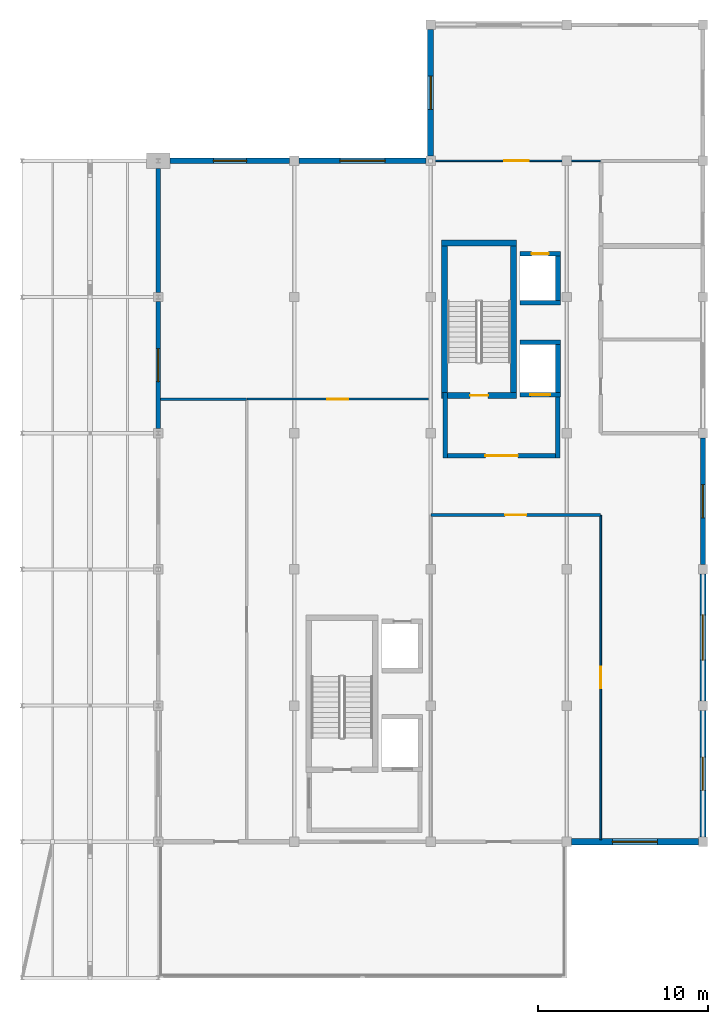
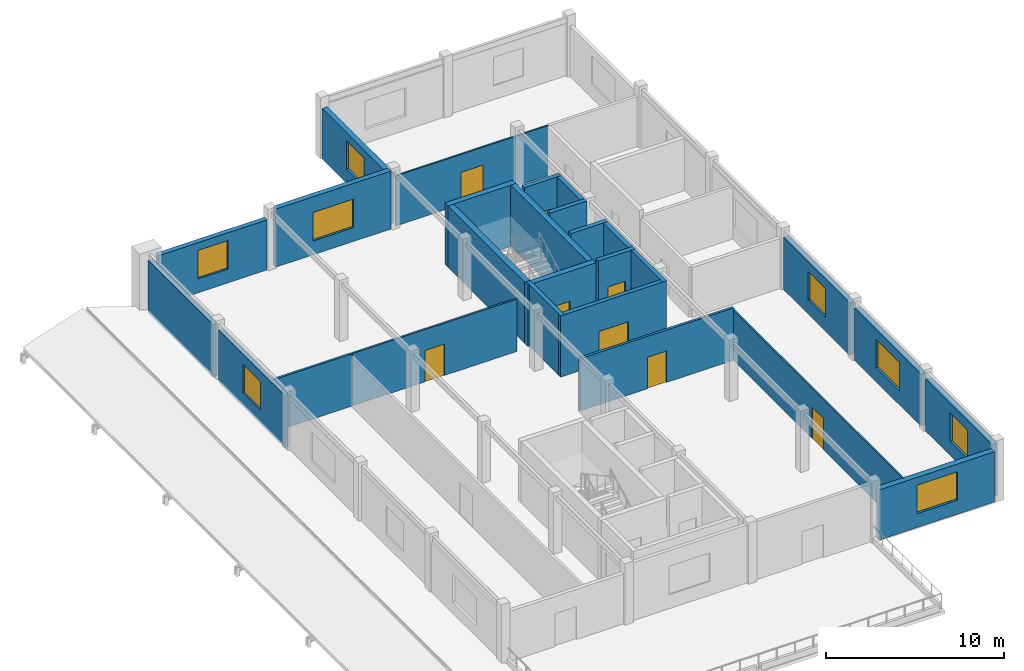
# One storey, part 5 of 9: 27 walls, 8 doors, 8 windows, 16 openings.
"""IFC4 building model written with IfcOpenShell, lengths in metres."""

import ifcopenshell
import ifcopenshell.guid

model = None  # the IFC model being written
_history = None  # IfcOwnerHistory: only IFC2X3 demands one
_inside = {}  # id of a spatial element -> (the spatial element, [elements in it])
_under = {}  # id of a project, library or spatial element -> (it, [spatial elements below it])
_declared = {}  # id of a project -> (the project, [libraries it declares])
_typed = {}  # id of a type object -> (the type object, [elements of that type])
_made_of = {}  # id of a material, layer set ... -> (it, [elements and type objects made of it])


def new_model(schema):
    """Start an empty IFC model of exactly this schema.

    Asked for "IFC4X3", IfcOpenShell would pick the latest addendum, in which some entities
    have other attributes; the version numbers below select the first issue.
    IFC2X3 requires an IfcOwnerHistory on every rooted entity: one is made here for all.
    """
    global model, _history
    if schema == "IFC4X3":
        model = ifcopenshell.file(schema_version=(4, 3, 0, 0))
    else:
        model = ifcopenshell.file(schema=schema)
    _inside.clear()
    _under.clear()
    _declared.clear()
    _typed.clear()
    _made_of.clear()
    _history = None
    if model.schema == "IFC2X3":
        org = make("IfcOrganization", Name="unknown")
        user = make(
            "IfcPersonAndOrganization",
            ThePerson=make("IfcPerson", FamilyName="unknown"),
            TheOrganization=org,
        )
        app = make(
            "IfcApplication",
            ApplicationDeveloper=org,
            Version="unknown",
            ApplicationFullName="unknown",
            ApplicationIdentifier="unknown",
        )
        _history = make(
            "IfcOwnerHistory",
            OwningUser=user,
            OwningApplication=app,
            ChangeAction="ADDED",
            CreationDate=0,
        )
    return model


def make(cls, **values):
    """One entity of the class cls with the attributes given. An attribute that is None is left unset."""
    return model.create_entity(
        cls, **{name: value for name, value in values.items() if value is not None}
    )


def rooted(cls, **values):
    """An entity with a GlobalId (a new one), such as an element, a storey or a relation."""
    return make(cls, GlobalId=ifcopenshell.guid.new(), OwnerHistory=_history, **values)


def si_unit(unit_type, name, prefix=None):
    """IfcSIUnit, for example si_unit("LENGTHUNIT", "METRE", prefix="MILLI")."""
    return make("IfcSIUnit", UnitType=unit_type, Prefix=prefix, Name=name)


def assignment(units):
    """IfcUnitAssignment: the units of a project."""
    return None if units is None else make("IfcUnitAssignment", Units=units)


def point(xyz):
    """IfcCartesianPoint."""
    return None if xyz is None else make("IfcCartesianPoint", Coordinates=xyz)


def direction(xyz):
    """IfcDirection."""
    return None if xyz is None else make("IfcDirection", DirectionRatios=xyz)


def frame(location, z_axis=None, x_axis=None):
    """IfcAxis2Placement3D, a coordinate frame: its origin and axes. An axis left out is left unset."""
    return make(
        "IfcAxis2Placement3D",
        Location=point(location),
        Axis=direction(z_axis),
        RefDirection=direction(x_axis),
    )


def frame_2d(location, x_axis=None):
    """IfcAxis2Placement2D, a coordinate frame in the plane: its origin and x axis."""
    return make(
        "IfcAxis2Placement2D", Location=point(location), RefDirection=direction(x_axis)
    )


def origin():
    """The frame at (0, 0, 0) with its axes left unset."""
    return frame((0.0, 0.0, 0.0))


def place(relative_to, where):
    """IfcLocalPlacement: puts the frame where relative to a parent placement (None: the world)."""
    return make(
        "IfcLocalPlacement", PlacementRelTo=relative_to, RelativePlacement=where
    )


def context(
    kind, dimensions, precision=None, world=None, true_north=None, identifier=None
):
    """IfcGeometricRepresentationContext, for example the 3D "Model" context."""
    return make(
        "IfcGeometricRepresentationContext",
        ContextIdentifier=identifier,
        ContextType=kind,
        CoordinateSpaceDimension=dimensions,
        Precision=precision,
        WorldCoordinateSystem=world,
        TrueNorth=true_north,
    )


def subcontext(parent, identifier, kind, view, scale=None):
    """IfcGeometricRepresentationSubContext, for example "Body" below "Model"."""
    return make(
        "IfcGeometricRepresentationSubContext",
        ContextIdentifier=identifier,
        ContextType=kind,
        ParentContext=parent,
        TargetScale=scale,
        TargetView=view,
    )


def project(units=None, contexts=None):
    """IfcProject with its units and contexts."""
    return rooted(
        "IfcProject",
        Name="project",
        RepresentationContexts=contexts,
        UnitsInContext=assignment(units),
    )


def spatial(cls, under=None, at=None, **own):
    """A site, building, storey or space (cls), placed at a placement, below another one or the project."""
    s = rooted(cls, ObjectPlacement=at, **own)
    if under is not None:
        _under.setdefault(under.id(), (under, []))[1].append(s)
    return s


def profile(cls, at=None, kind="AREA", **sizes):
    """A parametric profile (cls). Its sizes go by their IFC names, for example OverallWidth=200.0."""
    return make(cls, ProfileType=kind, Position=at, **sizes)


def rectangle(**sizes):
    """IfcRectangleProfileDef."""
    return profile("IfcRectangleProfileDef", **sizes)


def extrude(swept, where, along, depth):
    """IfcExtrudedAreaSolid: the profile swept, set in the frame where, extruded along a direction by depth."""
    return make(
        "IfcExtrudedAreaSolid",
        SweptArea=swept,
        Position=where,
        ExtrudedDirection=direction(along),
        Depth=depth,
    )


def shape(context_of_items, identifier, shape_type, items):
    """IfcShapeRepresentation: the items that make up one representation, for example the "Body"."""
    return make(
        "IfcShapeRepresentation",
        ContextOfItems=context_of_items,
        RepresentationIdentifier=identifier,
        RepresentationType=shape_type,
        Items=items,
    )


def material(Name=None, Category=None):
    """IfcMaterial."""
    return make("IfcMaterial", Name=Name, Category=Category)


def layer(
    of_material, thickness, ventilated=None, Name=None, Category=None, Priority=None
):
    """IfcMaterialLayer: one layer of a wall or slab, of a material (None: an air gap)."""
    return make(
        "IfcMaterialLayer",
        Material=of_material,
        LayerThickness=thickness,
        IsVentilated=ventilated,
        Name=Name,
        Category=Category,
        Priority=Priority,
    )


def layer_set(layers, Name=None):
    """IfcMaterialLayerSet."""
    return make("IfcMaterialLayerSet", MaterialLayers=layers, LayerSetName=Name)


def made_of(thing, what):
    """Note that an element or type object is made of a material, layer set ...; save() writes the relation."""
    if what is not None:
        _made_of.setdefault(what.id(), (what, []))[1].append(thing)
    return thing


def type_object(cls, material=None, **own):
    """A type object (cls), such as IfcWallType, which elements share."""
    return made_of(rooted(cls, **own), material)


def element(
    cls,
    number,
    at=None,
    inside=None,
    cuts=None,
    type_object=None,
    material=None,
    context=None,
    identifier="Body",
    shape_type=None,
    held_by="IfcProductDefinitionShape",
    body=None,
    shapes=None,
    **own,
):
    """One element of the class cls, such as IfcWall. Its Tag is "e" and its number.

    at: its placement. inside: the storey or other place that contains it. cuts: it is an
    opening in that element (IfcRelVoidsElement). A single representation is given by context,
    identifier, shape_type and body (its items); several are given by shapes. held_by: the class
    of the entity that holds the representations. save() writes the other relations.
    """
    e = rooted(cls, Tag="e%d" % number, ObjectPlacement=at, **own)
    if body is not None:
        shapes = [shape(context, identifier, shape_type, body)]
    if shapes is not None:
        e.Representation = make(held_by, Representations=shapes)
    if inside is not None:
        _inside.setdefault(inside.id(), (inside, []))[1].append(e)
    if cuts is not None:
        rooted(
            "IfcRelVoidsElement", RelatingBuildingElement=cuts, RelatedOpeningElement=e
        )
    if type_object is not None:
        _typed.setdefault(type_object.id(), (type_object, []))[1].append(e)
    return made_of(e, material)


def fill(opening, filler):
    """IfcRelFillsElement: the door or window that sits in an opening."""
    return rooted(
        "IfcRelFillsElement",
        RelatingOpeningElement=opening,
        RelatedBuildingElement=filler,
    )


def aggregate(whole, parts):
    """IfcRelAggregates: a whole, such as a stair, and the parts it consists of."""
    return rooted("IfcRelAggregates", RelatingObject=whole, RelatedObjects=parts)


def save(model, path):
    """Write the relations noted so far, then the file.

    IfcRelAggregates (storeys below a building ...), IfcRelContainedInSpatialStructure (elements
    in a storey), IfcRelDefinesByType, IfcRelAssociatesMaterial and IfcRelDeclares: one each for
    every whole, place, type object, material and project.
    """
    for whole, parts in _under.values():
        aggregate(whole, parts)
    for where, things in _inside.values():
        rooted(
            "IfcRelContainedInSpatialStructure",
            RelatedElements=things,
            RelatingStructure=where,
        )
    for kind, things in _typed.values():
        rooted("IfcRelDefinesByType", RelatedObjects=things, RelatingType=kind)
    for what, things in _made_of.values():
        rooted("IfcRelAssociatesMaterial", RelatedObjects=things, RelatingMaterial=what)
    for by, libraries in _declared.values():
        rooted("IfcRelDeclares", RelatingContext=by, RelatedDefinitions=libraries)
    model.write(path)


model = new_model("IFC4")

# Units and contexts
model_context = context("Model", 3, precision=1e-05, world=origin(), true_north=direction((0.0, 1.0)))
body_context = subcontext(model_context, "Body", "Model", "MODEL_VIEW")
ifc_project = project(units=[si_unit("LENGTHUNIT", "METRE"), si_unit("AREAUNIT", "SQUARE_METRE"), si_unit("VOLUMEUNIT", "CUBIC_METRE"), si_unit("PLANEANGLEUNIT", "RADIAN"), si_unit("MASSUNIT", "GRAM", prefix="KILO")], contexts=[model_context])

# Site, building, storey
site_placement = place(None, origin())
site = spatial("IfcSite", under=ifc_project, at=site_placement, CompositionType="ELEMENT")
building_placement = place(site_placement, origin())
building = spatial("IfcBuilding", under=site, at=building_placement, Name="Kenh Van Central Station", CompositionType="ELEMENT")
storey_placement = place(building_placement, frame((0.0, 0.0, 23.39990234375)))
storey = spatial("IfcBuildingStorey", under=building, at=storey_placement, Name="L05", CompositionType="ELEMENT", Elevation=23.39990234375)

# Wall, opening, door
ifc_material_1 = material(Name="Concrete C40/50", Category="concrete")
ifc_layer_1 = layer(ifc_material_1, 0.280029296875, Name="Concrete C40/50")
ifc_layer_set_1 = layer_set([ifc_layer_1], Name="Concrete C40/50")
wall_type_1 = type_object("IfcWallType", Name="WL-CORE-280", PredefinedType="SHEAR", material=ifc_layer_set_1)
wall_1_placement = place(storey_placement, frame((165.25, 50.260009765625, 0.0), z_axis=(0.0, 0.0, 1.0), x_axis=(1.0, 0.0, 0.0)))
wall_1 = element("IfcWall", 1, at=wall_1_placement, inside=storey, type_object=wall_type_1, Name="L05 LIFT-FF2 shaft wall S", PredefinedType="SHEAR", context=body_context, shape_type="SweptSolid", body=[
    extrude(rectangle(XDim=2.3798828125, YDim=0.280029296875, at=frame_2d((1.18994140625, 0.0))), origin(), (0.0, 0.0, 1.0), 4.2001953125),
])
opening_1_placement = place(wall_1_placement, frame((0.614990234375, 0.0, 0.0)))
opening_1 = element("IfcOpeningElement", 2, at=opening_1_placement, cuts=wall_1, Name="Opening LD-FF1", PredefinedType="OPENING", context=body_context, shape_type="SweptSolid", body=[
    extrude(rectangle(XDim=1.14990234375, YDim=2.199951171875, at=frame_2d((0.574951171875, 1.10009765625))), frame((0.0, 0.14990234375, 0.0), z_axis=(0.0, -1.0, 0.0), x_axis=(1.0, 0.0, 0.0)), (0.0, 0.0, 1.0), 0.300048828125),
])
ifc_material_2 = material(Name="Champagne anodised aluminium", Category="aluminium")
door_type_1 = type_object("IfcDoorType", Name="DR-LIFT-1150x2200", OperationType="SLIDING_TO_LEFT", PredefinedType="DOOR", material=ifc_material_2)
door_1_placement = place(opening_1_placement, origin())
door_1 = element("IfcDoor", 3, at=door_1_placement, inside=storey, type_object=door_type_1, Name="L05 LIFT-FF2 sliding landing door", OperationType="SLIDING_TO_LEFT", OverallHeight=2.199951171875, OverallWidth=1.14990234375, PredefinedType="DOOR", context=body_context, shape_type="SweptSolid", body=[
    extrude(rectangle(XDim=1.14990234375, YDim=2.199951171875, at=frame_2d((0.574951171875, 1.10009765625))), frame((0.0, 0.02490234375, 0.0), z_axis=(0.0, -1.0, 0.0), x_axis=(1.0, 0.0, 0.0)), (0.0, 0.0, 1.0), 0.050048828125),
])
fill(opening_1, door_1)

# Walls
wall_2_placement = place(storey_placement, frame((165.25, 53.340087890625, 0.0), z_axis=(0.0, 0.0, 1.0), x_axis=(1.0, 0.0, 0.0)))
element("IfcWall", 4, at=wall_2_placement, inside=storey, type_object=wall_type_1, Name="L05 LIFT-FF2 shaft wall N", PredefinedType="SHEAR", context=body_context, shape_type="SweptSolid", body=[
    extrude(rectangle(XDim=2.3798828125, YDim=0.280029296875, at=frame_2d((1.18994140625, 0.0))), origin(), (0.0, 0.0, 1.0), 4.2001953125),
])
wall_3_placement = place(storey_placement, frame((167.489990234375, 50.39990234375, 0.0), z_axis=(0.0, 0.0, 1.0), x_axis=(0.0, 1.0, 0.0)))
element("IfcWall", 5, at=wall_3_placement, inside=storey, type_object=wall_type_1, Name="L05 LIFT-FF2 shaft wall E", PredefinedType="SHEAR", context=body_context, shape_type="SweptSolid", body=[
    extrude(rectangle(XDim=2.800048828125, YDim=0.280029296875, at=frame_2d((1.39990234375, 0.0))), origin(), (0.0, 0.0, 1.0), 4.2001953125),
])
wall_4_placement = place(storey_placement, frame((165.25, 55.659912109375, 0.0), z_axis=(0.0, 0.0, 1.0), x_axis=(1.0, 0.0, 0.0)))
element("IfcWall", 6, at=wall_4_placement, inside=storey, type_object=wall_type_1, Name="L05 LIFT-OP2 shaft wall S", PredefinedType="SHEAR", context=body_context, shape_type="SweptSolid", body=[
    extrude(rectangle(XDim=2.3798828125, YDim=0.280029296875, at=frame_2d((1.18994140625, 0.0))), origin(), (0.0, 0.0, 1.0), 4.2001953125),
])

# Wall, opening, door
wall_5_placement = place(storey_placement, frame((165.25, 58.5400390625, 0.0), z_axis=(0.0, 0.0, 1.0), x_axis=(1.0, 0.0, 0.0)))
wall_5 = element("IfcWall", 7, at=wall_5_placement, inside=storey, type_object=wall_type_1, Name="L05 LIFT-OP2 shaft wall N", PredefinedType="SHEAR", context=body_context, shape_type="SweptSolid", body=[
    extrude(rectangle(XDim=2.3798828125, YDim=0.280029296875, at=frame_2d((1.18994140625, 0.0))), origin(), (0.0, 0.0, 1.0), 4.2001953125),
])
opening_2_placement = place(wall_5_placement, frame((0.68994140625, 0.0, 0.0)))
opening_2 = element("IfcOpeningElement", 8, at=opening_2_placement, cuts=wall_5, Name="Opening LD-OP1", PredefinedType="OPENING", context=body_context, shape_type="SweptSolid", body=[
    extrude(rectangle(XDim=1.0, YDim=2.14990234375, at=frame_2d((0.5, 1.074951171875))), frame((0.0, 0.14990234375, 0.0), z_axis=(0.0, -1.0, 0.0), x_axis=(1.0, 0.0, 0.0)), (0.0, 0.0, 1.0), 0.300048828125),
])
door_type_2 = type_object("IfcDoorType", Name="DR-LIFT-1000x2150", OperationType="SLIDING_TO_LEFT", PredefinedType="DOOR", material=ifc_material_2)
door_2_placement = place(opening_2_placement, origin())
door_2 = element("IfcDoor", 9, at=door_2_placement, inside=storey, type_object=door_type_2, Name="L05 LIFT-OP2 sliding landing door", OperationType="SLIDING_TO_LEFT", OverallHeight=2.14990234375, OverallWidth=1.0, PredefinedType="DOOR", context=body_context, shape_type="SweptSolid", body=[
    extrude(rectangle(XDim=1.0, YDim=2.14990234375, at=frame_2d((0.5, 1.074951171875))), frame((0.0, 0.02490234375, 0.0), z_axis=(0.0, -1.0, 0.0), x_axis=(1.0, 0.0, 0.0)), (0.0, 0.0, 1.0), 0.050048828125),
])
fill(opening_2, door_2)

# Wall
wall_6_placement = place(storey_placement, frame((167.489990234375, 55.800048828125, 0.0), z_axis=(0.0, 0.0, 1.0), x_axis=(0.0, 1.0, 0.0)))
element("IfcWall", 10, at=wall_6_placement, inside=storey, type_object=wall_type_1, Name="L05 LIFT-OP2 shaft wall E", PredefinedType="SHEAR", context=body_context, shape_type="SweptSolid", body=[
    extrude(rectangle(XDim=2.599853515625, YDim=0.280029296875, at=frame_2d((1.2998046875, 0.0))), origin(), (0.0, 0.0, 1.0), 4.2001953125),
])

# Wall, opening, door
ifc_layer_2 = layer(ifc_material_1, 0.360107421875, Name="Concrete C40/50")
ifc_layer_set_2 = layer_set([ifc_layer_2], Name="Concrete C40/50")
wall_type_2 = type_object("IfcWallType", Name="WL-CORE-360", PredefinedType="SHEAR", material=ifc_layer_set_2)
wall_7_placement = place(storey_placement, frame((160.639892578125, 50.219970703125, 0.0), z_axis=(0.0, 0.0, 1.0), x_axis=(1.0, 0.0, 0.0)))
wall_7 = element("IfcWall", 11, at=wall_7_placement, inside=storey, type_object=wall_type_2, Name="L05 CORE-10 stair wall S", PredefinedType="SHEAR", context=body_context, shape_type="SweptSolid", body=[
    extrude(rectangle(XDim=4.420166015625, YDim=0.360107421875, at=frame_2d((2.2099609375, 0.0))), origin(), (0.0, 0.0, 1.0), 4.2001953125),
])
opening_3_placement = place(wall_7_placement, frame((1.68505859375, 0.0, 0.0)))
opening_3 = element("IfcOpeningElement", 12, at=opening_3_placement, cuts=wall_7, Name="Opening D-FD60", PredefinedType="OPENING", context=body_context, shape_type="SweptSolid", body=[
    extrude(rectangle(XDim=1.050048828125, YDim=2.14990234375, at=frame_2d((0.52490234375, 1.074951171875))), frame((0.0, 0.18994140625, 0.0), z_axis=(0.0, -1.0, 0.0), x_axis=(1.0, 0.0, 0.0)), (0.0, 0.0, 1.0), 0.380126953125),
])
door_type_3 = type_object("IfcDoorType", Name="DR-FIRE-1050x2150", OperationType="NOTDEFINED", PredefinedType="DOOR", material=ifc_material_2)
door_3_placement = place(opening_3_placement, origin())
door_3 = element("IfcDoor", 13, at=door_3_placement, inside=storey, type_object=door_type_3, Name="L05 ST-10 stair door", OperationType="SINGLE_SWING_RIGHT", OverallHeight=2.14990234375, OverallWidth=1.050048828125, PredefinedType="DOOR", context=body_context, shape_type="SweptSolid", body=[
    extrude(rectangle(XDim=1.050048828125, YDim=2.14990234375, at=frame_2d((0.52490234375, 1.074951171875))), frame((0.0, 0.02490234375, 0.0), z_axis=(0.0, -1.0, 0.0), x_axis=(1.0, 0.0, 0.0)), (0.0, 0.0, 1.0), 0.050048828125),
])
fill(opening_3, door_3)

# Walls
wall_8_placement = place(storey_placement, frame((160.639892578125, 59.179931640625, 0.0), z_axis=(0.0, 0.0, 1.0), x_axis=(1.0, 0.0, 0.0)))
element("IfcWall", 14, at=wall_8_placement, inside=storey, type_object=wall_type_2, Name="L05 CORE-10 stair wall N", PredefinedType="SHEAR", context=body_context, shape_type="SweptSolid", body=[
    extrude(rectangle(XDim=4.420166015625, YDim=0.360107421875, at=frame_2d((2.2099609375, 0.0))), origin(), (0.0, 0.0, 1.0), 4.2001953125),
])
for number, where, z_axis, x_axis, name in (
    (15, (160.820068359375, 50.39990234375, 0.0), (0.0, 0.0, 1.0), (0.0, 1.0, 0.0), "L05 CORE-10 stair wall W"),
    (16, (164.8798828125, 50.39990234375, 0.0), (0.0, 0.0, 1.0), (0.0, 1.0, 0.0), "L05 CORE-10 stair wall E"),
):
    element("IfcWall", number, at=place(storey_placement, frame(where, z_axis=z_axis, x_axis=x_axis)), inside=storey, type_object=wall_type_2, Name=name, PredefinedType="SHEAR", context=body_context, shape_type="SweptSolid", body=[
        extrude(rectangle(XDim=8.60009765625, YDim=0.360107421875, at=frame_2d((4.300048828125, 0.0))), origin(), (0.0, 0.0, 1.0), 4.2001953125),
    ])
ifc_material_3 = material(Name="Saigon buff sandstone and terracotta masonry", Category="masonry")
ifc_layer_3 = layer(ifc_material_3, 0.2900390625, Name="Saigon buff sandstone and terracotta masonry")
ifc_layer_set_3 = layer_set([ifc_layer_3], Name="Saigon buff sandstone and terracotta masonry")
wall_type_3 = type_object("IfcWallType", Name="WL-EXT-290", PredefinedType="STANDARD", material=ifc_layer_set_3)
wall_9_placement = place(storey_placement, frame((144.0, 63.550048828125, 0.0), z_axis=(0.0, 0.0, 1.0), x_axis=(0.0, -1.0, 0.0)))
element("IfcWall", 17, at=wall_9_placement, inside=storey, type_object=wall_type_3, Name="L05 exterior wall 172", PredefinedType="STANDARD", context=body_context, shape_type="SweptSolid", body=[
    extrude(rectangle(XDim=7.275146484375, YDim=0.2900390625, at=frame_2d((3.6376953125, 0.0))), origin(), (0.0, 0.0, 1.0), 3.580078125),
])

# Wall, opening, window
ifc_layer_4 = layer(ifc_material_3, 0.31005859375, Name="Saigon buff sandstone and terracotta masonry")
ifc_layer_set_4 = layer_set([ifc_layer_4], Name="Saigon buff sandstone and terracotta masonry")
wall_type_4 = type_object("IfcWallType", Name="WL-EXT-310", PredefinedType="STANDARD", material=ifc_layer_set_4)
wall_10_placement = place(storey_placement, frame((176.0, 40.27490234375, 0.0), z_axis=(0.0, 0.0, 1.0), x_axis=(0.0, 1.0, 0.0)))
wall_10 = element("IfcWall", 18, at=wall_10_placement, inside=storey, type_object=wall_type_4, Name="L05 exterior wall 163", PredefinedType="STANDARD", context=body_context, shape_type="SweptSolid", body=[
    extrude(rectangle(XDim=7.4501953125, YDim=0.31005859375, at=frame_2d((3.72509765625, 0.0))), origin(), (0.0, 0.0, 1.0), 3.580078125),
])
opening_4_placement = place(wall_10_placement, frame((2.75, 0.0, 0.949951171875)))
opening_4 = element("IfcOpeningElement", 19, at=opening_4_placement, cuts=wall_10, Name="Opening WN-23", PredefinedType="OPENING", context=body_context, shape_type="SweptSolid", body=[
    extrude(rectangle(XDim=1.949951171875, YDim=1.949951171875, at=frame_2d((0.97509765625, 0.97509765625))), frame((0.0, 0.1650390625, 0.0), z_axis=(0.0, -1.0, 0.0), x_axis=(1.0, 0.0, 0.0)), (0.0, 0.0, 1.0), 0.330078125),
])
ifc_material_4 = material(Name="Double-glazed low-E laminated solar glass", Category="glass")
window_type_1 = type_object("IfcWindowType", Name="WN-OP05-1950x1950", PartitioningType="DOUBLE_PANEL_VERTICAL", PredefinedType="WINDOW", material=ifc_material_4)
window_1_placement = place(opening_4_placement, origin())
window_1 = element("IfcWindow", 20, at=window_1_placement, inside=storey, type_object=window_type_1, Name="L05 window 127", OverallHeight=1.949951171875, OverallWidth=1.949951171875, PartitioningType="SINGLE_PANEL", PredefinedType="WINDOW", context=body_context, shape_type="SweptSolid", body=[
    extrude(rectangle(XDim=1.949951171875, YDim=1.949951171875, at=frame_2d((0.97509765625, 0.97509765625))), frame((0.0, 0.030029296875, 0.0), z_axis=(0.0, -1.0, 0.0), x_axis=(1.0, 0.0, 0.0)), (0.0, 0.0, 1.0), 0.06005859375),
])
fill(opening_4, window_1)

wall_11_placement = place(storey_placement, frame((151.72509765625, 64.0, 0.0), z_axis=(0.0, 0.0, 1.0), x_axis=(-1.0, 0.0, 0.0)))
wall_11 = element("IfcWall", 21, at=wall_11_placement, inside=storey, type_object=wall_type_4, Name="L05 exterior wall 171", PredefinedType="STANDARD", context=body_context, shape_type="SweptSolid", body=[
    extrude(rectangle(XDim=7.025146484375, YDim=0.31005859375, at=frame_2d((3.5126953125, 0.0))), origin(), (0.0, 0.0, 1.0), 3.429443359375),
])
opening_5_placement = place(wall_11_placement, frame((2.53759765625, 0.0, 0.949951171875)))
opening_5 = element("IfcOpeningElement", 22, at=opening_5_placement, cuts=wall_11, Name="Opening WN-23", PredefinedType="OPENING", context=body_context, shape_type="SweptSolid", body=[
    extrude(rectangle(XDim=1.949951171875, YDim=1.949951171875, at=frame_2d((0.97509765625, 0.97509765625))), frame((0.0, 0.1650390625, 0.0), z_axis=(0.0, -1.0, 0.0), x_axis=(1.0, 0.0, 0.0)), (0.0, 0.0, 1.0), 0.330078125),
])
window_2_placement = place(opening_5_placement, origin())
window_2 = element("IfcWindow", 23, at=window_2_placement, inside=storey, type_object=window_type_1, Name="L05 window 135", OverallHeight=1.949951171875, OverallWidth=1.949951171875, PartitioningType="SINGLE_PANEL", PredefinedType="WINDOW", context=body_context, shape_type="SweptSolid", body=[
    extrude(rectangle(XDim=1.949951171875, YDim=1.949951171875, at=frame_2d((0.97509765625, 0.97509765625))), frame((0.0, 0.030029296875, 0.0), z_axis=(0.0, -1.0, 0.0), x_axis=(1.0, 0.0, 0.0)), (0.0, 0.0, 1.0), 0.06005859375),
])
fill(opening_5, window_2)

ifc_layer_5 = layer(ifc_material_3, 0.330078125, Name="Saigon buff sandstone and terracotta masonry")
ifc_layer_set_5 = layer_set([ifc_layer_5], Name="Saigon buff sandstone and terracotta masonry")
wall_type_5 = type_object("IfcWallType", Name="WL-EXT-330", PredefinedType="STANDARD", material=ifc_layer_set_5)
wall_12_placement = place(storey_placement, frame((176.0, 32.27490234375, 0.0), z_axis=(0.0, 0.0, 1.0), x_axis=(0.0, 1.0, 0.0)))
wall_12 = element("IfcWall", 24, at=wall_12_placement, inside=storey, type_object=wall_type_5, Name="L05 exterior wall 162", PredefinedType="STANDARD", context=body_context, shape_type="SweptSolid", body=[
    extrude(rectangle(XDim=7.4501953125, YDim=0.330078125, at=frame_2d((3.72509765625, 0.0))), origin(), (0.0, 0.0, 1.0), 3.580078125),
])
opening_6_placement = place(wall_12_placement, frame((2.39990234375, 0.0, 0.949951171875)))
opening_6 = element("IfcOpeningElement", 25, at=opening_6_placement, cuts=wall_12, Name="Opening WN-22", PredefinedType="OPENING", context=body_context, shape_type="SweptSolid", body=[
    extrude(rectangle(XDim=2.64990234375, YDim=1.949951171875, at=frame_2d((1.324951171875, 0.97509765625))), frame((0.0, 0.175048828125, 0.0), z_axis=(0.0, -1.0, 0.0), x_axis=(1.0, 0.0, 0.0)), (0.0, 0.0, 1.0), 0.35009765625),
])
window_type_2 = type_object("IfcWindowType", Name="WN-OP05-2650x1950", PartitioningType="DOUBLE_PANEL_VERTICAL", PredefinedType="WINDOW", material=ifc_material_4)
window_3_placement = place(opening_6_placement, origin())
window_3 = element("IfcWindow", 26, at=window_3_placement, inside=storey, type_object=window_type_2, Name="L05 window 126", OverallHeight=1.949951171875, OverallWidth=2.64990234375, PartitioningType="SINGLE_PANEL", PredefinedType="WINDOW", context=body_context, shape_type="SweptSolid", body=[
    extrude(rectangle(XDim=2.64990234375, YDim=1.949951171875, at=frame_2d((1.324951171875, 0.97509765625))), frame((0.0, 0.030029296875, 0.0), z_axis=(0.0, -1.0, 0.0), x_axis=(1.0, 0.0, 0.0)), (0.0, 0.0, 1.0), 0.06005859375),
])
fill(opening_6, window_3)

wall_13_placement = place(storey_placement, frame((159.72509765625, 64.0, 0.0), z_axis=(0.0, 0.0, 1.0), x_axis=(-1.0, 0.0, 0.0)))
wall_13 = element("IfcWall", 27, at=wall_13_placement, inside=storey, type_object=wall_type_5, Name="L05 exterior wall 170", PredefinedType="STANDARD", context=body_context, shape_type="SweptSolid", body=[
    extrude(rectangle(XDim=7.4501953125, YDim=0.330078125, at=frame_2d((3.72509765625, 0.0))), origin(), (0.0, 0.0, 1.0), 3.97021484375),
])
opening_7_placement = place(wall_13_placement, frame((2.39990234375, 0.0, 0.949951171875)))
opening_7 = element("IfcOpeningElement", 28, at=opening_7_placement, cuts=wall_13, Name="Opening WN-22", PredefinedType="OPENING", context=body_context, shape_type="SweptSolid", body=[
    extrude(rectangle(XDim=2.64990234375, YDim=1.949951171875, at=frame_2d((1.324951171875, 0.97509765625))), frame((0.0, 0.175048828125, 0.0), z_axis=(0.0, -1.0, 0.0), x_axis=(1.0, 0.0, 0.0)), (0.0, 0.0, 1.0), 0.35009765625),
])
window_4_placement = place(opening_7_placement, origin())
window_4 = element("IfcWindow", 29, at=window_4_placement, inside=storey, type_object=window_type_2, Name="L05 window 134", OverallHeight=1.949951171875, OverallWidth=2.64990234375, PartitioningType="SINGLE_PANEL", PredefinedType="WINDOW", context=body_context, shape_type="SweptSolid", body=[
    extrude(rectangle(XDim=2.64990234375, YDim=1.949951171875, at=frame_2d((1.324951171875, 0.97509765625))), frame((0.0, 0.030029296875, 0.0), z_axis=(0.0, -1.0, 0.0), x_axis=(1.0, 0.0, 0.0)), (0.0, 0.0, 1.0), 0.06005859375),
])
fill(opening_7, window_4)

ifc_layer_6 = layer(ifc_material_3, 0.35009765625, Name="Saigon buff sandstone and terracotta masonry")
ifc_layer_set_6 = layer_set([ifc_layer_6], Name="Saigon buff sandstone and terracotta masonry")
wall_type_6 = type_object("IfcWallType", Name="WL-EXT-350", PredefinedType="STANDARD", material=ifc_layer_set_6)
wall_14_placement = place(storey_placement, frame((176.0, 24.27490234375, 0.0), z_axis=(0.0, 0.0, 1.0), x_axis=(0.0, 1.0, 0.0)))
wall_14 = element("IfcWall", 30, at=wall_14_placement, inside=storey, type_object=wall_type_6, Name="L05 exterior wall 161", PredefinedType="STANDARD", context=body_context, shape_type="SweptSolid", body=[
    extrude(rectangle(XDim=7.4501953125, YDim=0.35009765625, at=frame_2d((3.72509765625, 0.0))), origin(), (0.0, 0.0, 1.0), 3.580078125),
])
opening_8_placement = place(wall_14_placement, frame((2.75, 0.0, 0.949951171875)))
opening_8 = element("IfcOpeningElement", 31, at=opening_8_placement, cuts=wall_14, Name="Opening WN-23", PredefinedType="OPENING", context=body_context, shape_type="SweptSolid", body=[
    extrude(rectangle(XDim=1.949951171875, YDim=1.949951171875, at=frame_2d((0.97509765625, 0.97509765625))), frame((0.0, 0.18505859375, 0.0), z_axis=(0.0, -1.0, 0.0), x_axis=(1.0, 0.0, 0.0)), (0.0, 0.0, 1.0), 0.3701171875),
])
window_5_placement = place(opening_8_placement, origin())
window_5 = element("IfcWindow", 32, at=window_5_placement, inside=storey, type_object=window_type_1, Name="L05 window 125", OverallHeight=1.949951171875, OverallWidth=1.949951171875, PartitioningType="SINGLE_PANEL", PredefinedType="WINDOW", context=body_context, shape_type="SweptSolid", body=[
    extrude(rectangle(XDim=1.949951171875, YDim=1.949951171875, at=frame_2d((0.97509765625, 0.97509765625))), frame((0.0, 0.030029296875, 0.0), z_axis=(0.0, -1.0, 0.0), x_axis=(1.0, 0.0, 0.0)), (0.0, 0.0, 1.0), 0.06005859375),
])
fill(opening_8, window_5)

wall_15_placement = place(storey_placement, frame((160.0, 71.72509765625, 0.0), z_axis=(0.0, 0.0, 1.0), x_axis=(0.0, -1.0, 0.0)))
wall_15 = element("IfcWall", 33, at=wall_15_placement, inside=storey, type_object=wall_type_6, Name="L05 exterior wall 169", PredefinedType="STANDARD", context=body_context, shape_type="SweptSolid", body=[
    extrude(rectangle(XDim=7.4501953125, YDim=0.35009765625, at=frame_2d((3.72509765625, 0.0))), origin(), (0.0, 0.0, 1.0), 3.44189453125),
])
opening_9_placement = place(wall_15_placement, frame((2.75, 0.0, 0.949951171875)))
opening_9 = element("IfcOpeningElement", 34, at=opening_9_placement, cuts=wall_15, Name="Opening WN-23", PredefinedType="OPENING", context=body_context, shape_type="SweptSolid", body=[
    extrude(rectangle(XDim=1.949951171875, YDim=1.949951171875, at=frame_2d((0.97509765625, 0.97509765625))), frame((0.0, 0.18505859375, 0.0), z_axis=(0.0, -1.0, 0.0), x_axis=(1.0, 0.0, 0.0)), (0.0, 0.0, 1.0), 0.3701171875),
])
window_6_placement = place(opening_9_placement, origin())
window_6 = element("IfcWindow", 35, at=window_6_placement, inside=storey, type_object=window_type_1, Name="L05 window 133", OverallHeight=1.949951171875, OverallWidth=1.949951171875, PartitioningType="SINGLE_PANEL", PredefinedType="WINDOW", context=body_context, shape_type="SweptSolid", body=[
    extrude(rectangle(XDim=1.949951171875, YDim=1.949951171875, at=frame_2d((0.97509765625, 0.97509765625))), frame((0.0, 0.030029296875, 0.0), z_axis=(0.0, -1.0, 0.0), x_axis=(1.0, 0.0, 0.0)), (0.0, 0.0, 1.0), 0.06005859375),
])
fill(opening_9, window_6)

ifc_layer_7 = layer(ifc_material_3, 0.3798828125, Name="Saigon buff sandstone and terracotta masonry")
ifc_layer_set_7 = layer_set([ifc_layer_7], Name="Saigon buff sandstone and terracotta masonry")
wall_type_7 = type_object("IfcWallType", Name="WL-EXT-380", PredefinedType="STANDARD", material=ifc_layer_set_7)
wall_16_placement = place(storey_placement, frame((168.27490234375, 24.0, 0.0), z_axis=(0.0, 0.0, 1.0), x_axis=(1.0, 0.0, 0.0)))
wall_16 = element("IfcWall", 36, at=wall_16_placement, inside=storey, type_object=wall_type_7, Name="L05 exterior wall 160", PredefinedType="STANDARD", context=body_context, shape_type="SweptSolid", body=[
    extrude(rectangle(XDim=7.4501953125, YDim=0.3798828125, at=frame_2d((3.72509765625, 0.0))), origin(), (0.0, 0.0, 1.0), 3.429443359375),
])
opening_10_placement = place(wall_16_placement, frame((2.39990234375, 0.0, 0.949951171875)))
opening_10 = element("IfcOpeningElement", 37, at=opening_10_placement, cuts=wall_16, Name="Opening WN-22", PredefinedType="OPENING", context=body_context, shape_type="SweptSolid", body=[
    extrude(rectangle(XDim=2.64990234375, YDim=1.949951171875, at=frame_2d((1.324951171875, 0.97509765625))), frame((0.0, 0.199951171875, 0.0), z_axis=(0.0, -1.0, 0.0), x_axis=(1.0, 0.0, 0.0)), (0.0, 0.0, 1.0), 0.39990234375),
])
window_7_placement = place(opening_10_placement, origin())
window_7 = element("IfcWindow", 38, at=window_7_placement, inside=storey, type_object=window_type_2, Name="L05 window 124", OverallHeight=1.949951171875, OverallWidth=2.64990234375, PartitioningType="SINGLE_PANEL", PredefinedType="WINDOW", context=body_context, shape_type="SweptSolid", body=[
    extrude(rectangle(XDim=2.64990234375, YDim=1.949951171875, at=frame_2d((1.324951171875, 0.97509765625))), frame((0.0, 0.030029296875, 0.0), z_axis=(0.0, -1.0, 0.0), x_axis=(1.0, 0.0, 0.0)), (0.0, 0.0, 1.0), 0.06005859375),
])
fill(opening_10, window_7)

# Wall, opening, door
ifc_layer_8 = layer(ifc_material_1, 0.260009765625, Name="Concrete C40/50")
ifc_layer_set_8 = layer_set([ifc_layer_8], Name="Concrete C40/50")
wall_type_8 = type_object("IfcWallType", Name="WL-FIRE-260", PredefinedType="SHEAR", material=ifc_layer_set_8)
wall_17_placement = place(storey_placement, frame((167.610107421875, 46.669921875, 0.0), z_axis=(0.0, 0.0, 1.0), x_axis=(-1.0, 0.0, 0.0)))
wall_17 = element("IfcWall", 39, at=wall_17_placement, inside=storey, type_object=wall_type_8, Name="L05 CORE-10 lobby wall S", PredefinedType="SHEAR", context=body_context, shape_type="SweptSolid", body=[
    extrude(rectangle(XDim=6.8701171875, YDim=0.260009765625, at=frame_2d((3.43505859375, 0.0))), origin(), (0.0, 0.0, 1.0), 4.2001953125),
])
opening_11_placement = place(wall_17_placement, frame((2.485107421875, 0.0, 0.0)))
opening_11 = element("IfcOpeningElement", 40, at=opening_11_placement, cuts=wall_17, Name="Opening D-FD60W", PredefinedType="OPENING", context=body_context, shape_type="SweptSolid", body=[
    extrude(rectangle(XDim=1.89990234375, YDim=2.25, at=frame_2d((0.949951171875, 1.125))), frame((0.0, 0.139892578125, 0.0), z_axis=(0.0, -1.0, 0.0), x_axis=(1.0, 0.0, 0.0)), (0.0, 0.0, 1.0), 0.280029296875),
])
door_type_4 = type_object("IfcDoorType", Name="DR-FIRE-1900x2250", OperationType="DOUBLE_DOOR_SINGLE_SWING", PredefinedType="DOOR", material=ifc_material_2)
door_4_placement = place(opening_11_placement, origin())
door_4 = element("IfcDoor", 41, at=door_4_placement, inside=storey, type_object=door_type_4, Name="L05 CORE-10 smoke-stop lobby door", OperationType="DOUBLE_DOOR_SINGLE_SWING", OverallHeight=2.25, OverallWidth=1.89990234375, PredefinedType="DOOR", context=body_context, shape_type="SweptSolid", body=[
    extrude(rectangle(XDim=1.89990234375, YDim=2.25, at=frame_2d((0.949951171875, 1.125))), frame((0.0, 0.02490234375, 0.0), z_axis=(0.0, -1.0, 0.0), x_axis=(1.0, 0.0, 0.0)), (0.0, 0.0, 1.0), 0.050048828125),
])
fill(opening_11, door_4)

# Walls
for number, where, z_axis, x_axis, name in (
    (42, (160.8701171875, 46.5400390625, 0.0), (0.0, 0.0, 1.0), (0.0, 1.0, 0.0), "L05 CORE-10 lobby wall W"),
    (43, (167.47998046875, 46.5400390625, 0.0), (0.0, 0.0, 1.0), (0.0, 1.0, 0.0), "L05 CORE-10 lobby wall E"),
):
    element("IfcWall", number, at=place(storey_placement, frame(where, z_axis=z_axis, x_axis=x_axis)), inside=storey, type_object=wall_type_8, Name=name, PredefinedType="SHEAR", context=body_context, shape_type="SweptSolid", body=[
        extrude(rectangle(XDim=3.85986328125, YDim=0.260009765625, at=frame_2d((1.929931640625, 0.0))), origin(), (0.0, 0.0, 1.0), 4.2001953125),
    ])

# Wall, opening, door
ifc_material_5 = material(Name="Lightweight acoustic masonry blockwork", Category="masonry")
ifc_layer_9 = layer(ifc_material_5, 0.10009765625, Name="Lightweight acoustic masonry blockwork")
ifc_layer_set_9 = layer_set([ifc_layer_9], Name="Lightweight acoustic masonry blockwork")
wall_type_9 = type_object("IfcWallType", Name="WL-PART-100", PredefinedType="PARTITIONING", material=ifc_layer_set_9)
wall_18_placement = place(storey_placement, frame((170.0, 24.1201171875, 0.0), z_axis=(0.0, 0.0, 1.0), x_axis=(0.0, 1.0, 0.0)))
wall_18 = element("IfcWall", 44, at=wall_18_placement, inside=storey, type_object=wall_type_9, Name="L05 interior wall 0216", PredefinedType="PARTITIONING", context=body_context, shape_type="SweptSolid", body=[
    extrude(rectangle(XDim=19.059814453125, YDim=0.10009765625, at=frame_2d((9.52978515625, 0.0))), origin(), (0.0, 0.0, 1.0), 3.429443359375),
])
opening_12_placement = place(wall_18_placement, frame((8.905029296875, 0.0, 0.0)))
opening_12 = element("IfcOpeningElement", 45, at=opening_12_placement, cuts=wall_18, Name="Opening D-IN04", PredefinedType="OPENING", context=body_context, shape_type="SweptSolid", body=[
    extrude(rectangle(XDim=1.25, YDim=2.14990234375, at=frame_2d((0.625, 1.074951171875))), frame((0.0, 0.06005859375, 0.0), z_axis=(0.0, -1.0, 0.0), x_axis=(1.0, 0.0, 0.0)), (0.0, 0.0, 1.0), 0.1201171875),
])
ifc_material_6 = material(Name="Architectural hardwood timber", Category="wood")
door_type_5 = type_object("IfcDoorType", Name="DR-INT-1250x2150", OperationType="NOTDEFINED", PredefinedType="DOOR", material=ifc_material_6)
door_5_placement = place(opening_12_placement, origin())
door_5 = element("IfcDoor", 46, at=door_5_placement, inside=storey, type_object=door_type_5, Name="L05 interior door 0121", OperationType="SINGLE_SWING_RIGHT", OverallHeight=2.14990234375, OverallWidth=1.25, PredefinedType="DOOR", context=body_context, shape_type="SweptSolid", body=[
    extrude(rectangle(XDim=1.25, YDim=2.14990234375, at=frame_2d((0.625, 1.074951171875))), frame((0.0, 0.02490234375, 0.0), z_axis=(0.0, -1.0, 0.0), x_axis=(1.0, 0.0, 0.0)), (0.0, 0.0, 1.0), 0.050048828125),
])
fill(opening_12, door_5)

wall_19_placement = place(storey_placement, frame((160.1201171875, 64.0, 0.0), z_axis=(0.0, 0.0, 1.0), x_axis=(1.0, 0.0, 0.0)))
wall_19 = element("IfcWall", 47, at=wall_19_placement, inside=storey, type_object=wall_type_9, Name="L05 interior wall 0223", PredefinedType="PARTITIONING", context=body_context, shape_type="SweptSolid", body=[
    extrude(rectangle(XDim=9.85986328125, YDim=0.10009765625, at=frame_2d((4.929931640625, 0.0))), origin(), (0.0, 0.0, 1.0), 3.429443359375),
])
opening_13_placement = place(wall_19_placement, frame((4.205078125, 0.0, 0.0)))
opening_13 = element("IfcOpeningElement", 48, at=opening_13_placement, cuts=wall_19, Name="Opening D-IN03", PredefinedType="OPENING", context=body_context, shape_type="SweptSolid", body=[
    extrude(rectangle(XDim=1.449951171875, YDim=2.199951171875, at=frame_2d((0.72509765625, 1.10009765625))), frame((0.0, 0.06005859375, 0.0), z_axis=(0.0, -1.0, 0.0), x_axis=(1.0, 0.0, 0.0)), (0.0, 0.0, 1.0), 0.1201171875),
])
door_type_6 = type_object("IfcDoorType", Name="DR-INT-1450x2200", OperationType="DOUBLE_DOOR_SINGLE_SWING", PredefinedType="DOOR", material=ifc_material_6)
door_6_placement = place(opening_13_placement, origin())
door_6 = element("IfcDoor", 49, at=door_6_placement, inside=storey, type_object=door_type_6, Name="L05 interior door 0125", OperationType="DOUBLE_DOOR_SINGLE_SWING", OverallHeight=2.199951171875, OverallWidth=1.449951171875, PredefinedType="DOOR", context=body_context, shape_type="SweptSolid", body=[
    extrude(rectangle(XDim=1.449951171875, YDim=2.199951171875, at=frame_2d((0.72509765625, 1.10009765625))), frame((0.0, 0.02490234375, 0.0), z_axis=(0.0, -1.0, 0.0), x_axis=(1.0, 0.0, 0.0)), (0.0, 0.0, 1.0), 0.050048828125),
])
fill(opening_13, door_6)

ifc_layer_10 = layer(ifc_material_5, 0.125, Name="Lightweight acoustic masonry blockwork")
ifc_layer_set_10 = layer_set([ifc_layer_10], Name="Lightweight acoustic masonry blockwork")
wall_type_10 = type_object("IfcWallType", Name="WL-PART-125", PredefinedType="PARTITIONING", material=ifc_layer_set_10)
wall_20_placement = place(storey_placement, frame((149.219970703125, 50.0, 0.0), z_axis=(0.0, 0.0, 1.0), x_axis=(1.0, 0.0, 0.0)))
wall_20 = element("IfcWall", 50, at=wall_20_placement, inside=storey, type_object=wall_type_10, Name="L05 interior wall 0214", PredefinedType="PARTITIONING", context=body_context, shape_type="SweptSolid", body=[
    extrude(rectangle(XDim=10.659912109375, YDim=0.125, at=frame_2d((5.330078125, 0.0))), origin(), (0.0, 0.0, 1.0), 3.580078125),
])
opening_14_placement = place(wall_20_placement, frame((4.705078125, 0.0, 0.0)))
opening_14 = element("IfcOpeningElement", 51, at=opening_14_placement, cuts=wall_20, Name="Opening D-IN04", PredefinedType="OPENING", context=body_context, shape_type="SweptSolid", body=[
    extrude(rectangle(XDim=1.25, YDim=2.14990234375, at=frame_2d((0.625, 1.074951171875))), frame((0.0, 0.072509765625, 0.0), z_axis=(0.0, -1.0, 0.0), x_axis=(1.0, 0.0, 0.0)), (0.0, 0.0, 1.0), 0.14501953125),
])
door_7_placement = place(opening_14_placement, origin())
door_7 = element("IfcDoor", 52, at=door_7_placement, inside=storey, type_object=door_type_5, Name="L05 interior door 0120", OperationType="SINGLE_SWING_LEFT", OverallHeight=2.14990234375, OverallWidth=1.25, PredefinedType="DOOR", context=body_context, shape_type="SweptSolid", body=[
    extrude(rectangle(XDim=1.25, YDim=2.14990234375, at=frame_2d((0.625, 1.074951171875))), frame((0.0, 0.02490234375, 0.0), z_axis=(0.0, -1.0, 0.0), x_axis=(1.0, 0.0, 0.0)), (0.0, 0.0, 1.0), 0.050048828125),
])
fill(opening_14, door_7)

# Wall
ifc_layer_11 = layer(ifc_material_5, 0.135009765625, Name="Lightweight acoustic masonry blockwork")
ifc_layer_set_11 = layer_set([ifc_layer_11], Name="Lightweight acoustic masonry blockwork")
wall_type_11 = type_object("IfcWallType", Name="WL-PART-135", PredefinedType="PARTITIONING", material=ifc_layer_set_11)
wall_21_placement = place(storey_placement, frame((144.1201171875, 50.0, 0.0), z_axis=(0.0, 0.0, 1.0), x_axis=(1.0, 0.0, 0.0)))
element("IfcWall", 53, at=wall_21_placement, inside=storey, type_object=wall_type_11, Name="L05 interior wall 0213", PredefinedType="PARTITIONING", context=body_context, shape_type="SweptSolid", body=[
    extrude(rectangle(XDim=5.059814453125, YDim=0.135009765625, at=frame_2d((2.52978515625, 0.0))), origin(), (0.0, 0.0, 1.0), 3.580078125),
])

# Wall, opening, door
ifc_layer_12 = layer(ifc_material_5, 0.159912109375, Name="Lightweight acoustic masonry blockwork")
ifc_layer_set_12 = layer_set([ifc_layer_12], Name="Lightweight acoustic masonry blockwork")
wall_type_12 = type_object("IfcWallType", Name="WL-PART-160", PredefinedType="PARTITIONING", material=ifc_layer_set_12)
wall_22_placement = place(storey_placement, frame((160.02001953125, 43.199951171875, 0.0), z_axis=(0.0, 0.0, 1.0), x_axis=(1.0, 0.0, 0.0)))
wall_22 = element("IfcWall", 54, at=wall_22_placement, inside=storey, type_object=wall_type_12, Name="L05 interior wall 0211", PredefinedType="PARTITIONING", context=body_context, shape_type="SweptSolid", body=[
    extrude(rectangle(XDim=9.9599609375, YDim=0.159912109375, at=frame_2d((4.97998046875, 0.0))), origin(), (0.0, 0.0, 1.0), 3.580078125),
])
opening_15_placement = place(wall_22_placement, frame((4.35498046875, 0.0, 0.0)))
opening_15 = element("IfcOpeningElement", 55, at=opening_15_placement, cuts=wall_22, Name="Opening D-IN04", PredefinedType="OPENING", context=body_context, shape_type="SweptSolid", body=[
    extrude(rectangle(XDim=1.25, YDim=2.14990234375, at=frame_2d((0.625, 1.074951171875))), frame((0.0, 0.08984375, 0.0), z_axis=(0.0, -1.0, 0.0), x_axis=(1.0, 0.0, 0.0)), (0.0, 0.0, 1.0), 0.179931640625),
])
door_8_placement = place(opening_15_placement, origin())
door_8 = element("IfcDoor", 56, at=door_8_placement, inside=storey, type_object=door_type_5, Name="L05 interior door 0118", OperationType="SINGLE_SWING_LEFT", OverallHeight=2.14990234375, OverallWidth=1.25, PredefinedType="DOOR", context=body_context, shape_type="SweptSolid", body=[
    extrude(rectangle(XDim=1.25, YDim=2.14990234375, at=frame_2d((0.625, 1.074951171875))), frame((0.0, 0.02490234375, 0.0), z_axis=(0.0, -1.0, 0.0), x_axis=(1.0, 0.0, 0.0)), (0.0, 0.0, 1.0), 0.050048828125),
])
fill(opening_15, door_8)

# Wall, opening, window
ifc_material_7 = material(Name="Glazed terracotta architectural masonry", Category="masonry")
ifc_layer_13 = layer(ifc_material_7, 0.239990234375, Name="Glazed terracotta architectural masonry")
ifc_layer_set_13 = layer_set([ifc_layer_13], Name="Glazed terracotta architectural masonry")
wall_type_13 = type_object("IfcWallType", Name="WL-SLD-240", PredefinedType="SOLIDWALL", material=ifc_layer_set_13)
wall_23_placement = place(storey_placement, frame((144.0, 55.72509765625, 0.0), z_axis=(0.0, 0.0, 1.0), x_axis=(0.0, -1.0, 0.0)))
wall_23 = element("IfcWall", 57, at=wall_23_placement, inside=storey, type_object=wall_type_13, Name="L05 exterior wall 173", PredefinedType="SOLIDWALL", context=body_context, shape_type="SweptSolid", body=[
    extrude(rectangle(XDim=7.4501953125, YDim=0.239990234375, at=frame_2d((3.72509765625, 0.0))), origin(), (0.0, 0.0, 1.0), 3.580078125),
])
opening_16_placement = place(wall_23_placement, frame((2.75, 0.0, 0.949951171875)))
opening_16 = element("IfcOpeningElement", 58, at=opening_16_placement, cuts=wall_23, Name="Opening WN-23", PredefinedType="OPENING", context=body_context, shape_type="SweptSolid", body=[
    extrude(rectangle(XDim=1.949951171875, YDim=1.949951171875, at=frame_2d((0.97509765625, 0.97509765625))), frame((0.0, 0.1298828125, 0.0), z_axis=(0.0, -1.0, 0.0), x_axis=(1.0, 0.0, 0.0)), (0.0, 0.0, 1.0), 0.260009765625),
])
window_8_placement = place(opening_16_placement, origin())
window_8 = element("IfcWindow", 59, at=window_8_placement, inside=storey, type_object=window_type_1, Name="L05 window 136", OverallHeight=1.949951171875, OverallWidth=1.949951171875, PartitioningType="SINGLE_PANEL", PredefinedType="WINDOW", context=body_context, shape_type="SweptSolid", body=[
    extrude(rectangle(XDim=1.949951171875, YDim=1.949951171875, at=frame_2d((0.97509765625, 0.97509765625))), frame((0.0, 0.030029296875, 0.0), z_axis=(0.0, -1.0, 0.0), x_axis=(1.0, 0.0, 0.0)), (0.0, 0.0, 1.0), 0.06005859375),
])
fill(opening_16, window_8)

save(model, "model.ifc")
